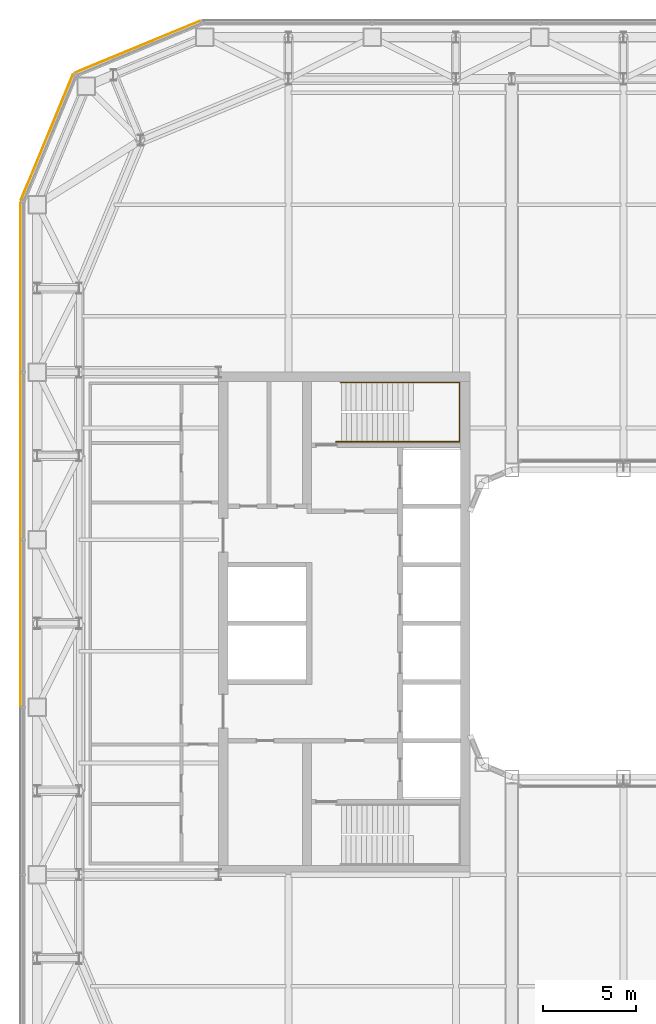
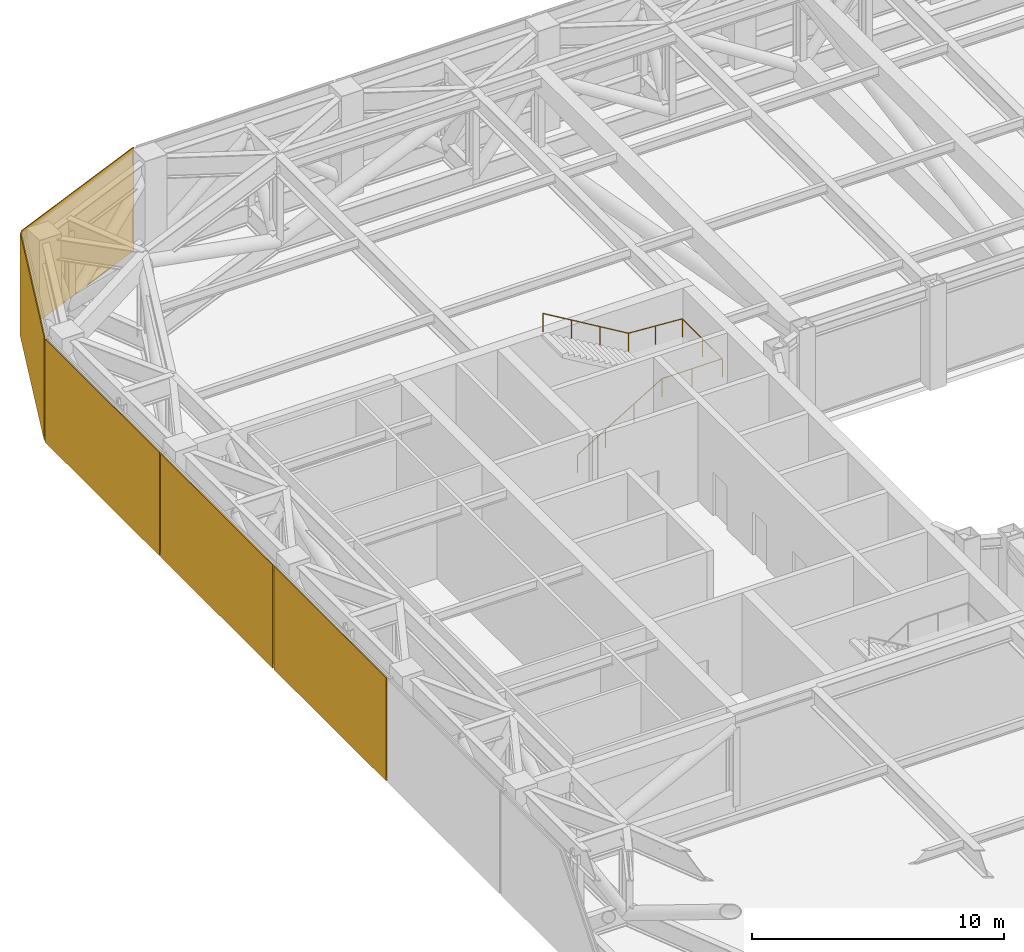
# One storey, part 31 of 33: 5 coverings, 1 railing.
"""IFC4 building model written with IfcOpenShell, lengths in metres."""

from ifc_helpers import new_model, si_unit, direction, frame, origin, origin_2d, place, context, subcontext, project, spatial, rectangle, circle, extrude, material, layer, layer_set, type_object, element, save


model = new_model("IFC4")

# Units and contexts
model_context = context("Model", 3, precision=1e-05, world=origin(), true_north=direction((0.0, 1.0)))
body_context = subcontext(model_context, "Body", "Model", "MODEL_VIEW")
ifc_project = project(units=[si_unit("LENGTHUNIT", "METRE"), si_unit("AREAUNIT", "SQUARE_METRE"), si_unit("VOLUMEUNIT", "CUBIC_METRE"), si_unit("PLANEANGLEUNIT", "RADIAN"), si_unit("MASSUNIT", "GRAM", prefix="KILO")], contexts=[model_context])

# Site, building, storey
site_placement = place(None, origin())
site = spatial("IfcSite", under=ifc_project, at=site_placement, CompositionType="ELEMENT")
building_placement = place(site_placement, origin())
building = spatial("IfcBuilding", under=site, at=building_placement, Name="Siwar Civic Tower", CompositionType="ELEMENT")
storey_placement = place(building_placement, frame((0.0, 0.0, 94.199951171875)))
storey = spatial("IfcBuildingStorey", under=building, at=storey_placement, Name="L20", CompositionType="ELEMENT", Elevation=94.199951171875)

# Railing
ifc_material_1 = material(Name="Stainless steel", Category="steel")
railing_type = type_object("IfcRailingType", Name="CORE-STAIR-HANDRAIL", PredefinedType="HANDRAIL", material=ifc_material_1)
railing_placement = place(storey_placement, frame((-15.449951171875, 9.758056640625, 0.166748046875)))
element("IfcRailing", 1, at=railing_placement, inside=storey, type_object=railing_type, Name="Stair handrail ST1", PredefinedType="HANDRAIL", context=body_context, shape_type="SweptSolid", body=[
    extrude(circle(Radius=0.02001953125, at=origin_2d()), frame((0.0, 0.0, 0.8798828125), z_axis=(0.856384976194, 0.0, 0.516337847296), x_axis=(0.0, 1.0, 0.0)), (0.0, 0.0, 1.0), 4.518798828125),
    extrude(circle(Radius=0.02001953125, at=origin_2d()), frame((3.869873046875, 0.0, 3.213134765625), z_axis=(1.0, 0.0, 0.0), x_axis=(0.0, 1.0, 0.0)), (0.0, 0.0, 1.0), 2.77197265625),
    extrude(circle(Radius=0.02001953125, at=origin_2d()), frame((6.641845703125, 0.0, 3.213134765625), z_axis=(0.0, 1.0, 0.0), x_axis=(-1.0, 0.0, 0.0)), (0.0, 0.0, 1.0), 3.183837890625),
    extrude(circle(Radius=0.02001953125, at=origin_2d()), frame((6.641845703125, 3.183837890625, 3.213134765625), z_axis=(-0.997732526271, 0.0, 0.067303833624), x_axis=(0.0, -1.0, 0.0)), (0.0, 0.0, 1.0), 2.4775390625),
    extrude(circle(Radius=0.02001953125, at=origin_2d()), frame((4.169921875, 3.183837890625, 3.3798828125), z_axis=(-0.859296244711, 0.0, 0.511478214419), x_axis=(0.0, -1.0, 0.0)), (0.0, 0.0, 1.0), 4.561767578125),
    extrude(circle(Radius=0.02001953125, at=origin_2d()), origin(), (0.0, 0.0, 1.0), 0.85986328125),
    extrude(circle(Radius=0.02001953125, at=origin_2d()), frame((1.2900390625, 0.0, 0.77783203125)), (0.0, 0.0, 1.0), 0.85986328125),
    extrude(circle(Radius=0.02001953125, at=origin_2d()), frame((2.579833984375, 0.0, 1.555419921875)), (0.0, 0.0, 1.0), 0.85986328125),
    extrude(circle(Radius=0.02001953125, at=origin_2d()), frame((3.869873046875, 0.0, 2.333251953125)), (0.0, 0.0, 1.0), 0.85986328125),
    extrude(circle(Radius=0.02001953125, at=origin_2d()), frame((5.255859375, 0.0, 2.333251953125)), (0.0, 0.0, 1.0), 0.85986328125),
    extrude(circle(Radius=0.02001953125, at=origin_2d()), frame((6.641845703125, 0.0, 2.333251953125)), (0.0, 0.0, 1.0), 0.85986328125),
    extrude(circle(Radius=0.02001953125, at=origin_2d()), frame((6.641845703125, 1.591796875, 2.333251953125)), (0.0, 0.0, 1.0), 0.85986328125),
    extrude(circle(Radius=0.02001953125, at=origin_2d()), frame((6.641845703125, 3.183837890625, 2.333251953125)), (0.0, 0.0, 1.0), 0.85986328125),
    extrude(circle(Radius=0.02001953125, at=origin_2d()), frame((5.40576171875, 3.183837890625, 2.41650390625)), (0.0, 0.0, 1.0), 0.85986328125),
    extrude(circle(Radius=0.02001953125, at=origin_2d()), frame((4.169921875, 3.183837890625, 2.5)), (0.0, 0.0, 1.0), 0.85986328125),
    extrude(circle(Radius=0.02001953125, at=origin_2d()), frame((2.86328125, 3.183837890625, 3.27783203125)), (0.0, 0.0, 1.0), 0.85986328125),
    extrude(circle(Radius=0.02001953125, at=origin_2d()), frame((1.556640625, 3.183837890625, 4.055419921875)), (0.0, 0.0, 1.0), 0.85986328125),
    extrude(circle(Radius=0.02001953125, at=origin_2d()), frame((0.25, 3.183837890625, 4.833251953125)), (0.0, 0.0, 1.0), 0.85986328125),
])

# Coverings
ifc_material_2 = material(Name="Perforated aluminium cassette, pale metal", Category="aluminium")
ifc_layer_1 = layer(ifc_material_2, 0.0400390625)
ifc_layer_set_1 = layer_set([ifc_layer_1], Name="Perforated aluminium cassette, pale metal")
covering_type_1 = type_object("IfcCoveringType", Name="ENV-OUTER SKIN OS-1", PredefinedType="CLADDING", material=ifc_layer_set_1)
covering_1_placement = place(storey_placement, frame((-26.115966796875, 30.976318359375, -0.199951171875), z_axis=(0.0, 0.0, 1.0), x_axis=(-0.923879532511, -0.382683432365, 0.0)))
element("IfcCovering", 2, at=covering_1_placement, inside=storey, type_object=covering_type_1, Name="OUTER SKIN OS-1 NW1 1", PredefinedType="CLADDING", context=body_context, shape_type="SweptSolid", body=[
    extrude(rectangle(XDim=7.300048828125, YDim=0.0400390625, at=origin_2d()), origin(), (0.0, 0.0, 1.0), 5.0),
])
ifc_material_3 = material(Name="Perforated aluminium cassette, pale metal", Category="aluminium")
ifc_layer_2 = layer(ifc_material_3, 0.044921875)
ifc_layer_set_2 = layer_set([ifc_layer_2], Name="Perforated aluminium cassette, pale metal")
covering_type_2 = type_object("IfcCoveringType", Name="ENV-OUTER SKIN OS-2", PredefinedType="CLADDING", material=ifc_layer_set_2)
covering_2_placement = place(storey_placement, frame((-30.976318359375, 26.115966796875, -0.199951171875), z_axis=(0.0, 0.0, 1.0), x_axis=(-0.382683432365, -0.923879532511, 0.0)))
element("IfcCovering", 3, at=covering_2_placement, inside=storey, type_object=covering_type_2, Name="OUTER SKIN OS-2 NW2 1", PredefinedType="CLADDING", context=body_context, shape_type="SweptSolid", body=[
    extrude(rectangle(XDim=7.300048828125, YDim=0.044921875, at=origin_2d()), origin(), (0.0, 0.0, 1.0), 5.0),
])
ifc_material_4 = material(Name="Perforated aluminium cassette, pale metal", Category="aluminium")
ifc_layer_3 = layer(ifc_material_4, 0.050048828125)
ifc_layer_set_3 = layer_set([ifc_layer_3], Name="Perforated aluminium cassette, pale metal")
covering_type_3 = type_object("IfcCoveringType", Name="ENV-OUTER SKIN OS-3", PredefinedType="CLADDING", material=ifc_layer_set_3)
covering_3_placement = place(storey_placement, frame((-32.39990234375, 18.07958984375, -0.199951171875), z_axis=(0.0, 0.0, 1.0), x_axis=(0.0, -1.0, 0.0)))
element("IfcCovering", 4, at=covering_3_placement, inside=storey, type_object=covering_type_3, Name="OUTER SKIN OS-3 W 1", PredefinedType="CLADDING", context=body_context, shape_type="SweptSolid", body=[
    extrude(rectangle(XDim=9.05908203125, YDim=0.050048828125, at=origin_2d()), origin(), (0.0, 0.0, 1.0), 5.0),
])
for number, where, z_axis, x_axis, name in (
    (5, (-32.39990234375, 9.0, -0.199951171875), (0.0, 0.0, 1.0), (0.0, -1.0, 0.0), "OUTER SKIN OS-3 W 2"),
    (6, (-32.39990234375, 0.0, -0.199951171875), (0.0, 0.0, 1.0), (0.0, -1.0, 0.0), "OUTER SKIN OS-3 W 3"),
):
    element("IfcCovering", number, at=place(storey_placement, frame(where, z_axis=z_axis, x_axis=x_axis)), inside=storey, type_object=covering_type_3, Name=name, PredefinedType="CLADDING", context=body_context, shape_type="SweptSolid", body=[
        extrude(rectangle(XDim=8.89990234375, YDim=0.050048828125, at=origin_2d()), origin(), (0.0, 0.0, 1.0), 5.0),
    ])

save(model, "model.ifc")
